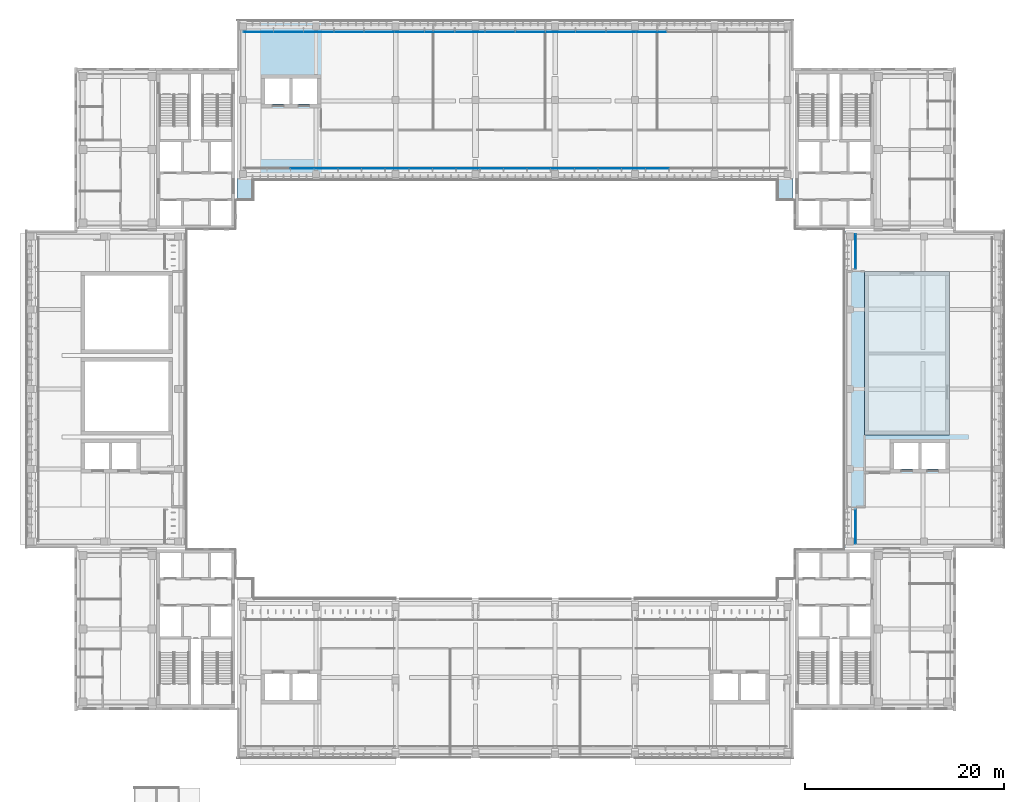
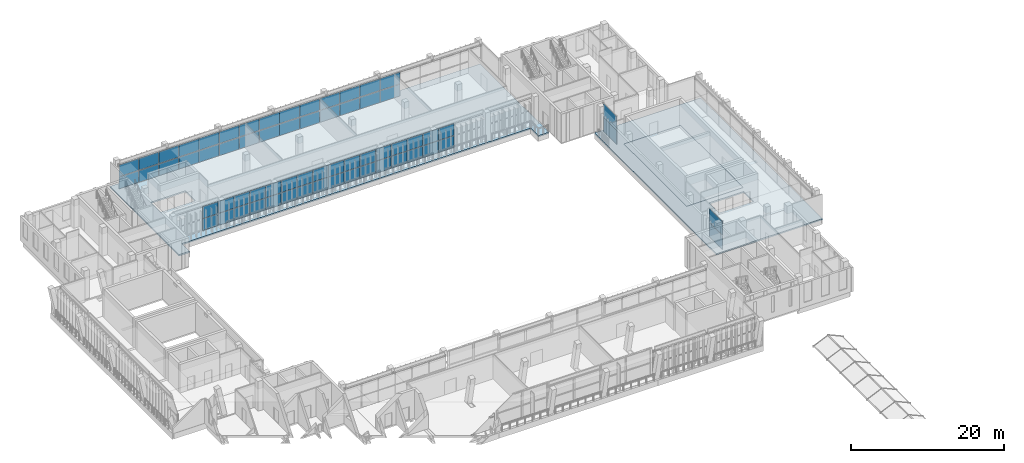
# One storey, part 40 of 73: 64 plates, 3 slabs, 4 elements without a shape of their own.
"""IFC4 building model written with IfcOpenShell, lengths in metres."""

from ifc_helpers import new_model, si_unit, direction, frame, origin, origin_2d, place, context, subcontext, project, spatial, polyline, rectangle, outline, extrude, material, layer, layer_set, type_object, element, aggregate, save


model = new_model("IFC4")

# Units and contexts
model_context = context("Model", 3, precision=1e-05, world=origin(), true_north=direction((0.0, 1.0)))
body_context = subcontext(model_context, "Body", "Model", "MODEL_VIEW")
ifc_project = project(units=[si_unit("LENGTHUNIT", "METRE"), si_unit("AREAUNIT", "SQUARE_METRE"), si_unit("VOLUMEUNIT", "CUBIC_METRE"), si_unit("PLANEANGLEUNIT", "RADIAN"), si_unit("MASSUNIT", "GRAM", prefix="KILO")], contexts=[model_context])

# Site, building, storey
site_placement = place(None, origin())
site = spatial("IfcSite", under=ifc_project, at=site_placement, CompositionType="ELEMENT")
building_placement = place(site_placement, origin())
building = spatial("IfcBuilding", under=site, at=building_placement, Name="Lantern Court Media Centre", CompositionType="ELEMENT")
storey_placement = place(building_placement, frame((0.0, 0.0, 24.0)))
storey = spatial("IfcBuildingStorey", under=building, at=storey_placement, Name="L05", CompositionType="ELEMENT", Elevation=24.0)

# Curtain wall, plates
ifc_material_1 = material(Name="Curtain wall bay 2400")
curtain_wall_type_1 = type_object("IfcCurtainWallType", Name="Curtain wall bay 2400", PredefinedType="NOTDEFINED", material=ifc_material_1)
curtain_wall_1_placement = place(storey_placement, origin())
curtain_wall_1 = element("IfcCurtainWall", 1, at=curtain_wall_1_placement, inside=storey, type_object=curtain_wall_type_1, Name="Curtain wall N inner L05", PredefinedType="NOTDEFINED")
ifc_material_2 = material(Name="Low-iron double glazed unit glass", Category="glass")
ifc_layer_1 = layer(ifc_material_2, 0.02392578125)
ifc_layer_set_1 = layer_set([ifc_layer_1], Name="Low-iron double glazed unit glass")
plate_type_1 = type_object("IfcPlateType", Name="Curtain wall glazing unit 24", PredefinedType="CURTAIN_PANEL", material=ifc_layer_set_1)
plate_1_placement = place(storey_placement, frame((30.634765625, 102.14990234375, 0.050048828125), z_axis=(0.0, 0.0, 1.0), x_axis=(1.0, 0.0, 0.0)))
plate_1 = element("IfcPlate", 2, at=plate_1_placement, type_object=plate_type_1, Name="CW2 panel 3.1", PredefinedType="CURTAIN_PANEL", context=body_context, shape_type="SweptSolid", body=[
    extrude(rectangle(XDim=2.323974609375, YDim=0.02392578125, at=origin_2d()), origin(), (0.0, 0.0, 1.0), 1.89990234375),
])
plate_2_placement = place(storey_placement, frame((30.634765625, 102.14990234375, 2.0), z_axis=(0.0, 0.0, 1.0), x_axis=(1.0, 0.0, 0.0)))
plate_2 = element("IfcPlate", 3, at=plate_2_placement, type_object=plate_type_1, Name="CW2 panel 3.2", PredefinedType="CURTAIN_PANEL", context=body_context, shape_type="SweptSolid", body=[
    extrude(rectangle(XDim=2.323974609375, YDim=0.02392578125, at=origin_2d()), origin(), (0.0, 0.0, 1.0), 1.89990234375),
])
plate_3_placement = place(storey_placement, frame((33.0087890625, 102.14990234375, 0.050048828125), z_axis=(0.0, 0.0, 1.0), x_axis=(1.0, 0.0, 0.0)))
plate_3 = element("IfcPlate", 4, at=plate_3_placement, type_object=plate_type_1, Name="CW2 panel 4.1", PredefinedType="CURTAIN_PANEL", context=body_context, shape_type="SweptSolid", body=[
    extrude(rectangle(XDim=2.323974609375, YDim=0.02392578125, at=origin_2d()), origin(), (0.0, 0.0, 1.0), 1.89990234375),
])
plate_4_placement = place(storey_placement, frame((33.0087890625, 102.14990234375, 2.0), z_axis=(0.0, 0.0, 1.0), x_axis=(1.0, 0.0, 0.0)))
plate_4 = element("IfcPlate", 5, at=plate_4_placement, type_object=plate_type_1, Name="CW2 panel 4.2", PredefinedType="CURTAIN_PANEL", context=body_context, shape_type="SweptSolid", body=[
    extrude(rectangle(XDim=2.323974609375, YDim=0.02392578125, at=origin_2d()), origin(), (0.0, 0.0, 1.0), 1.89990234375),
])
plate_5_placement = place(storey_placement, frame((35.382568359375, 102.14990234375, 0.050048828125), z_axis=(0.0, 0.0, 1.0), x_axis=(1.0, 0.0, 0.0)))
plate_5 = element("IfcPlate", 6, at=plate_5_placement, type_object=plate_type_1, Name="CW2 panel 5.1", PredefinedType="CURTAIN_PANEL", context=body_context, shape_type="SweptSolid", body=[
    extrude(rectangle(XDim=2.323974609375, YDim=0.02392578125, at=origin_2d()), origin(), (0.0, 0.0, 1.0), 1.89990234375),
])
plate_6_placement = place(storey_placement, frame((35.382568359375, 102.14990234375, 2.0), z_axis=(0.0, 0.0, 1.0), x_axis=(1.0, 0.0, 0.0)))
plate_6 = element("IfcPlate", 7, at=plate_6_placement, type_object=plate_type_1, Name="CW2 panel 5.2", PredefinedType="CURTAIN_PANEL", context=body_context, shape_type="SweptSolid", body=[
    extrude(rectangle(XDim=2.323974609375, YDim=0.02392578125, at=origin_2d()), origin(), (0.0, 0.0, 1.0), 1.89990234375),
])
plate_7_placement = place(storey_placement, frame((37.756591796875, 102.14990234375, 0.050048828125), z_axis=(0.0, 0.0, 1.0), x_axis=(1.0, 0.0, 0.0)))
plate_7 = element("IfcPlate", 8, at=plate_7_placement, type_object=plate_type_1, Name="CW2 panel 6.1", PredefinedType="CURTAIN_PANEL", context=body_context, shape_type="SweptSolid", body=[
    extrude(rectangle(XDim=2.323974609375, YDim=0.02392578125, at=origin_2d()), origin(), (0.0, 0.0, 1.0), 1.89990234375),
])
plate_8_placement = place(storey_placement, frame((37.756591796875, 102.14990234375, 2.0), z_axis=(0.0, 0.0, 1.0), x_axis=(1.0, 0.0, 0.0)))
plate_8 = element("IfcPlate", 9, at=plate_8_placement, type_object=plate_type_1, Name="CW2 panel 6.2", PredefinedType="CURTAIN_PANEL", context=body_context, shape_type="SweptSolid", body=[
    extrude(rectangle(XDim=2.323974609375, YDim=0.02392578125, at=origin_2d()), origin(), (0.0, 0.0, 1.0), 1.89990234375),
])
plate_9_placement = place(storey_placement, frame((40.13037109375, 102.14990234375, 0.050048828125), z_axis=(0.0, 0.0, 1.0), x_axis=(1.0, 0.0, 0.0)))
plate_9 = element("IfcPlate", 10, at=plate_9_placement, type_object=plate_type_1, Name="CW2 panel 7.1", PredefinedType="CURTAIN_PANEL", context=body_context, shape_type="SweptSolid", body=[
    extrude(rectangle(XDim=2.323974609375, YDim=0.02392578125, at=origin_2d()), origin(), (0.0, 0.0, 1.0), 1.89990234375),
])
plate_10_placement = place(storey_placement, frame((40.13037109375, 102.14990234375, 2.0), z_axis=(0.0, 0.0, 1.0), x_axis=(1.0, 0.0, 0.0)))
plate_10 = element("IfcPlate", 11, at=plate_10_placement, type_object=plate_type_1, Name="CW2 panel 7.2", PredefinedType="CURTAIN_PANEL", context=body_context, shape_type="SweptSolid", body=[
    extrude(rectangle(XDim=2.323974609375, YDim=0.02392578125, at=origin_2d()), origin(), (0.0, 0.0, 1.0), 1.89990234375),
])
plate_11_placement = place(storey_placement, frame((42.50439453125, 102.14990234375, 0.050048828125), z_axis=(0.0, 0.0, 1.0), x_axis=(1.0, 0.0, 0.0)))
plate_11 = element("IfcPlate", 12, at=plate_11_placement, type_object=plate_type_1, Name="CW2 panel 8.1", PredefinedType="CURTAIN_PANEL", context=body_context, shape_type="SweptSolid", body=[
    extrude(rectangle(XDim=2.323974609375, YDim=0.02392578125, at=origin_2d()), origin(), (0.0, 0.0, 1.0), 1.89990234375),
])
plate_12_placement = place(storey_placement, frame((42.50439453125, 102.14990234375, 2.0), z_axis=(0.0, 0.0, 1.0), x_axis=(1.0, 0.0, 0.0)))
plate_12 = element("IfcPlate", 13, at=plate_12_placement, type_object=plate_type_1, Name="CW2 panel 8.2", PredefinedType="CURTAIN_PANEL", context=body_context, shape_type="SweptSolid", body=[
    extrude(rectangle(XDim=2.323974609375, YDim=0.02392578125, at=origin_2d()), origin(), (0.0, 0.0, 1.0), 1.89990234375),
])
plate_13_placement = place(storey_placement, frame((44.878173828125, 102.14990234375, 0.050048828125), z_axis=(0.0, 0.0, 1.0), x_axis=(1.0, 0.0, 0.0)))
plate_13 = element("IfcPlate", 14, at=plate_13_placement, type_object=plate_type_1, Name="CW2 panel 9.1", PredefinedType="CURTAIN_PANEL", context=body_context, shape_type="SweptSolid", body=[
    extrude(rectangle(XDim=2.323974609375, YDim=0.02392578125, at=origin_2d()), origin(), (0.0, 0.0, 1.0), 1.89990234375),
])
plate_14_placement = place(storey_placement, frame((44.878173828125, 102.14990234375, 2.0), z_axis=(0.0, 0.0, 1.0), x_axis=(1.0, 0.0, 0.0)))
plate_14 = element("IfcPlate", 15, at=plate_14_placement, type_object=plate_type_1, Name="CW2 panel 9.2", PredefinedType="CURTAIN_PANEL", context=body_context, shape_type="SweptSolid", body=[
    extrude(rectangle(XDim=2.323974609375, YDim=0.02392578125, at=origin_2d()), origin(), (0.0, 0.0, 1.0), 1.89990234375),
])
plate_15_placement = place(storey_placement, frame((47.252197265625, 102.14990234375, 0.050048828125), z_axis=(0.0, 0.0, 1.0), x_axis=(1.0, 0.0, 0.0)))
plate_15 = element("IfcPlate", 16, at=plate_15_placement, type_object=plate_type_1, Name="CW2 panel 10.1", PredefinedType="CURTAIN_PANEL", context=body_context, shape_type="SweptSolid", body=[
    extrude(rectangle(XDim=2.323974609375, YDim=0.02392578125, at=origin_2d()), origin(), (0.0, 0.0, 1.0), 1.89990234375),
])
plate_16_placement = place(storey_placement, frame((47.252197265625, 102.14990234375, 2.0), z_axis=(0.0, 0.0, 1.0), x_axis=(1.0, 0.0, 0.0)))
plate_16 = element("IfcPlate", 17, at=plate_16_placement, type_object=plate_type_1, Name="CW2 panel 10.2", PredefinedType="CURTAIN_PANEL", context=body_context, shape_type="SweptSolid", body=[
    extrude(rectangle(XDim=2.323974609375, YDim=0.02392578125, at=origin_2d()), origin(), (0.0, 0.0, 1.0), 1.89990234375),
])
plate_17_placement = place(storey_placement, frame((49.6259765625, 102.14990234375, 0.050048828125), z_axis=(0.0, 0.0, 1.0), x_axis=(1.0, 0.0, 0.0)))
plate_17 = element("IfcPlate", 18, at=plate_17_placement, type_object=plate_type_1, Name="CW2 panel 11.1", PredefinedType="CURTAIN_PANEL", context=body_context, shape_type="SweptSolid", body=[
    extrude(rectangle(XDim=2.323974609375, YDim=0.02392578125, at=origin_2d()), origin(), (0.0, 0.0, 1.0), 1.89990234375),
])
plate_18_placement = place(storey_placement, frame((49.6259765625, 102.14990234375, 2.0), z_axis=(0.0, 0.0, 1.0), x_axis=(1.0, 0.0, 0.0)))
plate_18 = element("IfcPlate", 19, at=plate_18_placement, type_object=plate_type_1, Name="CW2 panel 11.2", PredefinedType="CURTAIN_PANEL", context=body_context, shape_type="SweptSolid", body=[
    extrude(rectangle(XDim=2.323974609375, YDim=0.02392578125, at=origin_2d()), origin(), (0.0, 0.0, 1.0), 1.89990234375),
])
plate_19_placement = place(storey_placement, frame((52.0, 102.14990234375, 0.050048828125), z_axis=(0.0, 0.0, 1.0), x_axis=(1.0, 0.0, 0.0)))
plate_19 = element("IfcPlate", 20, at=plate_19_placement, type_object=plate_type_1, Name="CW2 panel 12.1", PredefinedType="CURTAIN_PANEL", context=body_context, shape_type="SweptSolid", body=[
    extrude(rectangle(XDim=2.323974609375, YDim=0.02392578125, at=origin_2d()), origin(), (0.0, 0.0, 1.0), 1.89990234375),
])
plate_20_placement = place(storey_placement, frame((52.0, 102.14990234375, 2.0), z_axis=(0.0, 0.0, 1.0), x_axis=(1.0, 0.0, 0.0)))
plate_20 = element("IfcPlate", 21, at=plate_20_placement, type_object=plate_type_1, Name="CW2 panel 12.2", PredefinedType="CURTAIN_PANEL", context=body_context, shape_type="SweptSolid", body=[
    extrude(rectangle(XDim=2.323974609375, YDim=0.02392578125, at=origin_2d()), origin(), (0.0, 0.0, 1.0), 1.89990234375),
])
plate_21_placement = place(storey_placement, frame((54.3740234375, 102.14990234375, 0.050048828125), z_axis=(0.0, 0.0, 1.0), x_axis=(1.0, 0.0, 0.0)))
plate_21 = element("IfcPlate", 22, at=plate_21_placement, type_object=plate_type_1, Name="CW2 panel 13.1", PredefinedType="CURTAIN_PANEL", context=body_context, shape_type="SweptSolid", body=[
    extrude(rectangle(XDim=2.323974609375, YDim=0.02392578125, at=origin_2d()), origin(), (0.0, 0.0, 1.0), 1.89990234375),
])
plate_22_placement = place(storey_placement, frame((54.3740234375, 102.14990234375, 2.0), z_axis=(0.0, 0.0, 1.0), x_axis=(1.0, 0.0, 0.0)))
plate_22 = element("IfcPlate", 23, at=plate_22_placement, type_object=plate_type_1, Name="CW2 panel 13.2", PredefinedType="CURTAIN_PANEL", context=body_context, shape_type="SweptSolid", body=[
    extrude(rectangle(XDim=2.323974609375, YDim=0.02392578125, at=origin_2d()), origin(), (0.0, 0.0, 1.0), 1.89990234375),
])
plate_23_placement = place(storey_placement, frame((56.747802734375, 102.14990234375, 0.050048828125), z_axis=(0.0, 0.0, 1.0), x_axis=(1.0, 0.0, 0.0)))
plate_23 = element("IfcPlate", 24, at=plate_23_placement, type_object=plate_type_1, Name="CW2 panel 14.1", PredefinedType="CURTAIN_PANEL", context=body_context, shape_type="SweptSolid", body=[
    extrude(rectangle(XDim=2.323974609375, YDim=0.02392578125, at=origin_2d()), origin(), (0.0, 0.0, 1.0), 1.89990234375),
])
plate_24_placement = place(storey_placement, frame((56.747802734375, 102.14990234375, 2.0), z_axis=(0.0, 0.0, 1.0), x_axis=(1.0, 0.0, 0.0)))
plate_24 = element("IfcPlate", 25, at=plate_24_placement, type_object=plate_type_1, Name="CW2 panel 14.2", PredefinedType="CURTAIN_PANEL", context=body_context, shape_type="SweptSolid", body=[
    extrude(rectangle(XDim=2.323974609375, YDim=0.02392578125, at=origin_2d()), origin(), (0.0, 0.0, 1.0), 1.89990234375),
])
plate_25_placement = place(storey_placement, frame((59.121826171875, 102.14990234375, 0.050048828125), z_axis=(0.0, 0.0, 1.0), x_axis=(1.0, 0.0, 0.0)))
plate_25 = element("IfcPlate", 26, at=plate_25_placement, type_object=plate_type_1, Name="CW2 panel 15.1", PredefinedType="CURTAIN_PANEL", context=body_context, shape_type="SweptSolid", body=[
    extrude(rectangle(XDim=2.323974609375, YDim=0.02392578125, at=origin_2d()), origin(), (0.0, 0.0, 1.0), 1.89990234375),
])
plate_26_placement = place(storey_placement, frame((59.121826171875, 102.14990234375, 2.0), z_axis=(0.0, 0.0, 1.0), x_axis=(1.0, 0.0, 0.0)))
plate_26 = element("IfcPlate", 27, at=plate_26_placement, type_object=plate_type_1, Name="CW2 panel 15.2", PredefinedType="CURTAIN_PANEL", context=body_context, shape_type="SweptSolid", body=[
    extrude(rectangle(XDim=2.323974609375, YDim=0.02392578125, at=origin_2d()), origin(), (0.0, 0.0, 1.0), 1.89990234375),
])
plate_27_placement = place(storey_placement, frame((61.49560546875, 102.14990234375, 0.050048828125), z_axis=(0.0, 0.0, 1.0), x_axis=(1.0, 0.0, 0.0)))
plate_27 = element("IfcPlate", 28, at=plate_27_placement, type_object=plate_type_1, Name="CW2 panel 16.1", PredefinedType="CURTAIN_PANEL", context=body_context, shape_type="SweptSolid", body=[
    extrude(rectangle(XDim=2.323974609375, YDim=0.02392578125, at=origin_2d()), origin(), (0.0, 0.0, 1.0), 1.89990234375),
])
plate_28_placement = place(storey_placement, frame((61.49560546875, 102.14990234375, 2.0), z_axis=(0.0, 0.0, 1.0), x_axis=(1.0, 0.0, 0.0)))
plate_28 = element("IfcPlate", 29, at=plate_28_placement, type_object=plate_type_1, Name="CW2 panel 16.2", PredefinedType="CURTAIN_PANEL", context=body_context, shape_type="SweptSolid", body=[
    extrude(rectangle(XDim=2.323974609375, YDim=0.02392578125, at=origin_2d()), origin(), (0.0, 0.0, 1.0), 1.89990234375),
])
plate_29_placement = place(storey_placement, frame((63.86962890625, 102.14990234375, 0.050048828125), z_axis=(0.0, 0.0, 1.0), x_axis=(1.0, 0.0, 0.0)))
plate_29 = element("IfcPlate", 30, at=plate_29_placement, type_object=plate_type_1, Name="CW2 panel 17.1", PredefinedType="CURTAIN_PANEL", context=body_context, shape_type="SweptSolid", body=[
    extrude(rectangle(XDim=2.323974609375, YDim=0.02392578125, at=origin_2d()), origin(), (0.0, 0.0, 1.0), 1.89990234375),
])
plate_30_placement = place(storey_placement, frame((63.86962890625, 102.14990234375, 2.0), z_axis=(0.0, 0.0, 1.0), x_axis=(1.0, 0.0, 0.0)))
plate_30 = element("IfcPlate", 31, at=plate_30_placement, type_object=plate_type_1, Name="CW2 panel 17.2", PredefinedType="CURTAIN_PANEL", context=body_context, shape_type="SweptSolid", body=[
    extrude(rectangle(XDim=2.323974609375, YDim=0.02392578125, at=origin_2d()), origin(), (0.0, 0.0, 1.0), 1.89990234375),
])
plate_31_placement = place(storey_placement, frame((66.243408203125, 102.14990234375, 0.050048828125), z_axis=(0.0, 0.0, 1.0), x_axis=(1.0, 0.0, 0.0)))
plate_31 = element("IfcPlate", 32, at=plate_31_placement, type_object=plate_type_1, Name="CW2 panel 18.1", PredefinedType="CURTAIN_PANEL", context=body_context, shape_type="SweptSolid", body=[
    extrude(rectangle(XDim=2.323974609375, YDim=0.02392578125, at=origin_2d()), origin(), (0.0, 0.0, 1.0), 1.89990234375),
])
plate_32_placement = place(storey_placement, frame((66.243408203125, 102.14990234375, 2.0), z_axis=(0.0, 0.0, 1.0), x_axis=(1.0, 0.0, 0.0)))
plate_32 = element("IfcPlate", 33, at=plate_32_placement, type_object=plate_type_1, Name="CW2 panel 18.2", PredefinedType="CURTAIN_PANEL", context=body_context, shape_type="SweptSolid", body=[
    extrude(rectangle(XDim=2.323974609375, YDim=0.02392578125, at=origin_2d()), origin(), (0.0, 0.0, 1.0), 1.89990234375),
])
aggregate(curtain_wall_1, [plate_1, plate_2, plate_3, plate_4, plate_5, plate_6, plate_7, plate_8, plate_9, plate_10, plate_11, plate_12, plate_13, plate_14, plate_15, plate_16, plate_17, plate_18, plate_19, plate_20, plate_21, plate_22, plate_23, plate_24, plate_25, plate_26, plate_27, plate_28, plate_29, plate_30, plate_31, plate_32])

curtain_wall_2_placement = place(storey_placement, origin())
curtain_wall_2 = element("IfcCurtainWall", 34, at=curtain_wall_2_placement, inside=storey, type_object=curtain_wall_type_1, Name="Curtain wall E inner L05", PredefinedType="NOTDEFINED")
plate_33_placement = place(storey_placement, frame((86.14990234375, 66.18505859375, 0.0498046875), z_axis=(0.0, 0.0, 1.0), x_axis=(0.0, 1.0, 0.0)))
plate_33 = element("IfcPlate", 35, at=plate_33_placement, type_object=plate_type_1, Name="CW2 panel 1.1", PredefinedType="CURTAIN_PANEL", context=body_context, shape_type="SweptSolid", body=[
    extrude(rectangle(XDim=3.429931640625, YDim=0.02392578125, at=origin_2d()), origin(), (0.0, 0.0, 1.0), 2.215087890625),
])
plate_34_placement = place(storey_placement, frame((86.14990234375, 66.18505859375, 2.31494140625), z_axis=(0.0, 0.0, 1.0), x_axis=(0.0, 1.0, 0.0)))
plate_34 = element("IfcPlate", 36, at=plate_34_placement, type_object=plate_type_1, Name="CW2 panel 1.2", PredefinedType="CURTAIN_PANEL", context=body_context, shape_type="SweptSolid", body=[
    extrude(rectangle(XDim=3.429931640625, YDim=0.02392578125, at=origin_2d()), origin(), (0.0, 0.0, 1.0), 2.215087890625),
])
aggregate(curtain_wall_2, [plate_33, plate_34])

curtain_wall_3_placement = place(storey_placement, origin())
curtain_wall_3 = element("IfcCurtainWall", 37, at=curtain_wall_3_placement, inside=storey, type_object=curtain_wall_type_1, Name="Curtain wall E inner L05", PredefinedType="NOTDEFINED")
plate_35_placement = place(storey_placement, frame((86.14990234375, 93.81494140625, 0.0498046875), z_axis=(0.0, 0.0, 1.0), x_axis=(0.0, 1.0, 0.0)))
plate_35 = element("IfcPlate", 38, at=plate_35_placement, type_object=plate_type_1, Name="CW2 panel 1.1", PredefinedType="CURTAIN_PANEL", context=body_context, shape_type="SweptSolid", body=[
    extrude(rectangle(XDim=3.429931640625, YDim=0.02392578125, at=origin_2d()), origin(), (0.0, 0.0, 1.0), 2.215087890625),
])
plate_36_placement = place(storey_placement, frame((86.14990234375, 93.81494140625, 2.31494140625), z_axis=(0.0, 0.0, 1.0), x_axis=(0.0, 1.0, 0.0)))
plate_36 = element("IfcPlate", 39, at=plate_36_placement, type_object=plate_type_1, Name="CW2 panel 1.2", PredefinedType="CURTAIN_PANEL", context=body_context, shape_type="SweptSolid", body=[
    extrude(rectangle(XDim=3.429931640625, YDim=0.02392578125, at=origin_2d()), origin(), (0.0, 0.0, 1.0), 2.215087890625),
])
aggregate(curtain_wall_3, [plate_35, plate_36])

ifc_material_3 = material(Name="Curtain wall bay 3000")
curtain_wall_type_2 = type_object("IfcCurtainWallType", Name="Curtain wall bay 3000", PredefinedType="NOTDEFINED", material=ifc_material_3)
curtain_wall_4_placement = place(storey_placement, origin())
curtain_wall_4 = element("IfcCurtainWall", 40, at=curtain_wall_4_placement, inside=storey, type_object=curtain_wall_type_2, Name="Curtain wall N outer L05", PredefinedType="NOTDEFINED")
ifc_layer_2 = layer(ifc_material_2, 0.028076171875)
ifc_layer_set_2 = layer_set([ifc_layer_2], Name="Low-iron double glazed unit glass")
plate_type_2 = type_object("IfcPlateType", Name="Curtain wall glazing unit 28", PredefinedType="CURTAIN_PANEL", material=ifc_layer_set_2)
plate_37_placement = place(storey_placement, frame((26.231689453125, 115.85009765625, 0.06005859375), z_axis=(0.0, 0.0, 1.0), x_axis=(1.0, 0.0, 0.0)))
plate_37 = element("IfcPlate", 41, at=plate_37_placement, type_object=plate_type_2, Name="CW1 panel 1.1", PredefinedType="CURTAIN_PANEL", context=body_context, shape_type="SweptSolid", body=[
    extrude(rectangle(XDim=2.943359375, YDim=0.028076171875, at=origin_2d()), origin(), (0.0, 0.0, 1.0), 1.885009765625),
])
plate_38_placement = place(storey_placement, frame((26.231689453125, 115.85009765625, 2.0048828125), z_axis=(0.0, 0.0, 1.0), x_axis=(1.0, 0.0, 0.0)))
plate_38 = element("IfcPlate", 42, at=plate_38_placement, type_object=plate_type_2, Name="CW1 panel 1.2", PredefinedType="CURTAIN_PANEL", context=body_context, shape_type="SweptSolid", body=[
    extrude(rectangle(XDim=2.943359375, YDim=0.028076171875, at=origin_2d()), origin(), (0.0, 0.0, 1.0), 1.885009765625),
])
plate_39_placement = place(storey_placement, frame((29.25, 115.85009765625, 0.06005859375), z_axis=(0.0, 0.0, 1.0), x_axis=(1.0, 0.0, 0.0)))
plate_39 = element("IfcPlate", 43, at=plate_39_placement, type_object=plate_type_2, Name="CW1 panel 2.1", PredefinedType="CURTAIN_PANEL", context=body_context, shape_type="SweptSolid", body=[
    extrude(rectangle(XDim=2.973388671875, YDim=0.028076171875, at=origin_2d()), origin(), (0.0, 0.0, 1.0), 1.885009765625),
])
plate_40_placement = place(storey_placement, frame((29.25, 115.85009765625, 2.0048828125), z_axis=(0.0, 0.0, 1.0), x_axis=(1.0, 0.0, 0.0)))
plate_40 = element("IfcPlate", 44, at=plate_40_placement, type_object=plate_type_2, Name="CW1 panel 2.2", PredefinedType="CURTAIN_PANEL", context=body_context, shape_type="SweptSolid", body=[
    extrude(rectangle(XDim=2.973388671875, YDim=0.028076171875, at=origin_2d()), origin(), (0.0, 0.0, 1.0), 1.885009765625),
])
plate_41_placement = place(storey_placement, frame((32.283447265625, 115.85009765625, 0.06005859375), z_axis=(0.0, 0.0, 1.0), x_axis=(1.0, 0.0, 0.0)))
plate_41 = element("IfcPlate", 45, at=plate_41_placement, type_object=plate_type_2, Name="CW1 panel 3.1", PredefinedType="CURTAIN_PANEL", context=body_context, shape_type="SweptSolid", body=[
    extrude(rectangle(XDim=2.973388671875, YDim=0.028076171875, at=origin_2d()), origin(), (0.0, 0.0, 1.0), 1.885009765625),
])
plate_42_placement = place(storey_placement, frame((32.283447265625, 115.85009765625, 2.0048828125), z_axis=(0.0, 0.0, 1.0), x_axis=(1.0, 0.0, 0.0)))
plate_42 = element("IfcPlate", 46, at=plate_42_placement, type_object=plate_type_2, Name="CW1 panel 3.2", PredefinedType="CURTAIN_PANEL", context=body_context, shape_type="SweptSolid", body=[
    extrude(rectangle(XDim=2.973388671875, YDim=0.028076171875, at=origin_2d()), origin(), (0.0, 0.0, 1.0), 1.885009765625),
])
plate_43_placement = place(storey_placement, frame((35.316650390625, 115.85009765625, 0.06005859375), z_axis=(0.0, 0.0, 1.0), x_axis=(1.0, 0.0, 0.0)))
plate_43 = element("IfcPlate", 47, at=plate_43_placement, type_object=plate_type_2, Name="CW1 panel 4.1", PredefinedType="CURTAIN_PANEL", context=body_context, shape_type="SweptSolid", body=[
    extrude(rectangle(XDim=2.973388671875, YDim=0.028076171875, at=origin_2d()), origin(), (0.0, 0.0, 1.0), 1.885009765625),
])
plate_44_placement = place(storey_placement, frame((35.316650390625, 115.85009765625, 2.0048828125), z_axis=(0.0, 0.0, 1.0), x_axis=(1.0, 0.0, 0.0)))
plate_44 = element("IfcPlate", 48, at=plate_44_placement, type_object=plate_type_2, Name="CW1 panel 4.2", PredefinedType="CURTAIN_PANEL", context=body_context, shape_type="SweptSolid", body=[
    extrude(rectangle(XDim=2.973388671875, YDim=0.028076171875, at=origin_2d()), origin(), (0.0, 0.0, 1.0), 1.885009765625),
])
plate_45_placement = place(storey_placement, frame((38.35009765625, 115.85009765625, 0.06005859375), z_axis=(0.0, 0.0, 1.0), x_axis=(1.0, 0.0, 0.0)))
plate_45 = element("IfcPlate", 49, at=plate_45_placement, type_object=plate_type_2, Name="CW1 panel 5.1", PredefinedType="CURTAIN_PANEL", context=body_context, shape_type="SweptSolid", body=[
    extrude(rectangle(XDim=2.973388671875, YDim=0.028076171875, at=origin_2d()), origin(), (0.0, 0.0, 1.0), 1.885009765625),
])
plate_46_placement = place(storey_placement, frame((38.35009765625, 115.85009765625, 2.0048828125), z_axis=(0.0, 0.0, 1.0), x_axis=(1.0, 0.0, 0.0)))
plate_46 = element("IfcPlate", 50, at=plate_46_placement, type_object=plate_type_2, Name="CW1 panel 5.2", PredefinedType="CURTAIN_PANEL", context=body_context, shape_type="SweptSolid", body=[
    extrude(rectangle(XDim=2.973388671875, YDim=0.028076171875, at=origin_2d()), origin(), (0.0, 0.0, 1.0), 1.885009765625),
])
plate_47_placement = place(storey_placement, frame((41.38330078125, 115.85009765625, 0.06005859375), z_axis=(0.0, 0.0, 1.0), x_axis=(1.0, 0.0, 0.0)))
plate_47 = element("IfcPlate", 51, at=plate_47_placement, type_object=plate_type_2, Name="CW1 panel 6.1", PredefinedType="CURTAIN_PANEL", context=body_context, shape_type="SweptSolid", body=[
    extrude(rectangle(XDim=2.973388671875, YDim=0.028076171875, at=origin_2d()), origin(), (0.0, 0.0, 1.0), 1.885009765625),
])
plate_48_placement = place(storey_placement, frame((41.38330078125, 115.85009765625, 2.0048828125), z_axis=(0.0, 0.0, 1.0), x_axis=(1.0, 0.0, 0.0)))
plate_48 = element("IfcPlate", 52, at=plate_48_placement, type_object=plate_type_2, Name="CW1 panel 6.2", PredefinedType="CURTAIN_PANEL", context=body_context, shape_type="SweptSolid", body=[
    extrude(rectangle(XDim=2.973388671875, YDim=0.028076171875, at=origin_2d()), origin(), (0.0, 0.0, 1.0), 1.885009765625),
])
plate_49_placement = place(storey_placement, frame((44.416748046875, 115.85009765625, 0.06005859375), z_axis=(0.0, 0.0, 1.0), x_axis=(1.0, 0.0, 0.0)))
plate_49 = element("IfcPlate", 53, at=plate_49_placement, type_object=plate_type_2, Name="CW1 panel 7.1", PredefinedType="CURTAIN_PANEL", context=body_context, shape_type="SweptSolid", body=[
    extrude(rectangle(XDim=2.973388671875, YDim=0.028076171875, at=origin_2d()), origin(), (0.0, 0.0, 1.0), 1.885009765625),
])
plate_50_placement = place(storey_placement, frame((44.416748046875, 115.85009765625, 2.0048828125), z_axis=(0.0, 0.0, 1.0), x_axis=(1.0, 0.0, 0.0)))
plate_50 = element("IfcPlate", 54, at=plate_50_placement, type_object=plate_type_2, Name="CW1 panel 7.2", PredefinedType="CURTAIN_PANEL", context=body_context, shape_type="SweptSolid", body=[
    extrude(rectangle(XDim=2.973388671875, YDim=0.028076171875, at=origin_2d()), origin(), (0.0, 0.0, 1.0), 1.885009765625),
])
plate_51_placement = place(storey_placement, frame((47.449951171875, 115.85009765625, 0.06005859375), z_axis=(0.0, 0.0, 1.0), x_axis=(1.0, 0.0, 0.0)))
plate_51 = element("IfcPlate", 55, at=plate_51_placement, type_object=plate_type_2, Name="CW1 panel 8.1", PredefinedType="CURTAIN_PANEL", context=body_context, shape_type="SweptSolid", body=[
    extrude(rectangle(XDim=2.973388671875, YDim=0.028076171875, at=origin_2d()), origin(), (0.0, 0.0, 1.0), 1.885009765625),
])
plate_52_placement = place(storey_placement, frame((47.449951171875, 115.85009765625, 2.0048828125), z_axis=(0.0, 0.0, 1.0), x_axis=(1.0, 0.0, 0.0)))
plate_52 = element("IfcPlate", 56, at=plate_52_placement, type_object=plate_type_2, Name="CW1 panel 8.2", PredefinedType="CURTAIN_PANEL", context=body_context, shape_type="SweptSolid", body=[
    extrude(rectangle(XDim=2.973388671875, YDim=0.028076171875, at=origin_2d()), origin(), (0.0, 0.0, 1.0), 1.885009765625),
])
plate_53_placement = place(storey_placement, frame((50.4833984375, 115.85009765625, 0.06005859375), z_axis=(0.0, 0.0, 1.0), x_axis=(1.0, 0.0, 0.0)))
plate_53 = element("IfcPlate", 57, at=plate_53_placement, type_object=plate_type_2, Name="CW1 panel 9.1", PredefinedType="CURTAIN_PANEL", context=body_context, shape_type="SweptSolid", body=[
    extrude(rectangle(XDim=2.973388671875, YDim=0.028076171875, at=origin_2d()), origin(), (0.0, 0.0, 1.0), 1.885009765625),
])
plate_54_placement = place(storey_placement, frame((50.4833984375, 115.85009765625, 2.0048828125), z_axis=(0.0, 0.0, 1.0), x_axis=(1.0, 0.0, 0.0)))
plate_54 = element("IfcPlate", 58, at=plate_54_placement, type_object=plate_type_2, Name="CW1 panel 9.2", PredefinedType="CURTAIN_PANEL", context=body_context, shape_type="SweptSolid", body=[
    extrude(rectangle(XDim=2.973388671875, YDim=0.028076171875, at=origin_2d()), origin(), (0.0, 0.0, 1.0), 1.885009765625),
])
plate_55_placement = place(storey_placement, frame((53.5166015625, 115.85009765625, 0.06005859375), z_axis=(0.0, 0.0, 1.0), x_axis=(1.0, 0.0, 0.0)))
plate_55 = element("IfcPlate", 59, at=plate_55_placement, type_object=plate_type_2, Name="CW1 panel 10.1", PredefinedType="CURTAIN_PANEL", context=body_context, shape_type="SweptSolid", body=[
    extrude(rectangle(XDim=2.973388671875, YDim=0.028076171875, at=origin_2d()), origin(), (0.0, 0.0, 1.0), 1.885009765625),
])
plate_56_placement = place(storey_placement, frame((53.5166015625, 115.85009765625, 2.0048828125), z_axis=(0.0, 0.0, 1.0), x_axis=(1.0, 0.0, 0.0)))
plate_56 = element("IfcPlate", 60, at=plate_56_placement, type_object=plate_type_2, Name="CW1 panel 10.2", PredefinedType="CURTAIN_PANEL", context=body_context, shape_type="SweptSolid", body=[
    extrude(rectangle(XDim=2.973388671875, YDim=0.028076171875, at=origin_2d()), origin(), (0.0, 0.0, 1.0), 1.885009765625),
])
plate_57_placement = place(storey_placement, frame((56.550048828125, 115.85009765625, 0.06005859375), z_axis=(0.0, 0.0, 1.0), x_axis=(1.0, 0.0, 0.0)))
plate_57 = element("IfcPlate", 61, at=plate_57_placement, type_object=plate_type_2, Name="CW1 panel 11.1", PredefinedType="CURTAIN_PANEL", context=body_context, shape_type="SweptSolid", body=[
    extrude(rectangle(XDim=2.973388671875, YDim=0.028076171875, at=origin_2d()), origin(), (0.0, 0.0, 1.0), 1.885009765625),
])
plate_58_placement = place(storey_placement, frame((56.550048828125, 115.85009765625, 2.0048828125), z_axis=(0.0, 0.0, 1.0), x_axis=(1.0, 0.0, 0.0)))
plate_58 = element("IfcPlate", 62, at=plate_58_placement, type_object=plate_type_2, Name="CW1 panel 11.2", PredefinedType="CURTAIN_PANEL", context=body_context, shape_type="SweptSolid", body=[
    extrude(rectangle(XDim=2.973388671875, YDim=0.028076171875, at=origin_2d()), origin(), (0.0, 0.0, 1.0), 1.885009765625),
])
plate_59_placement = place(storey_placement, frame((59.583251953125, 115.85009765625, 0.06005859375), z_axis=(0.0, 0.0, 1.0), x_axis=(1.0, 0.0, 0.0)))
plate_59 = element("IfcPlate", 63, at=plate_59_placement, type_object=plate_type_2, Name="CW1 panel 12.1", PredefinedType="CURTAIN_PANEL", context=body_context, shape_type="SweptSolid", body=[
    extrude(rectangle(XDim=2.973388671875, YDim=0.028076171875, at=origin_2d()), origin(), (0.0, 0.0, 1.0), 1.885009765625),
])
plate_60_placement = place(storey_placement, frame((59.583251953125, 115.85009765625, 2.0048828125), z_axis=(0.0, 0.0, 1.0), x_axis=(1.0, 0.0, 0.0)))
plate_60 = element("IfcPlate", 64, at=plate_60_placement, type_object=plate_type_2, Name="CW1 panel 12.2", PredefinedType="CURTAIN_PANEL", context=body_context, shape_type="SweptSolid", body=[
    extrude(rectangle(XDim=2.973388671875, YDim=0.028076171875, at=origin_2d()), origin(), (0.0, 0.0, 1.0), 1.885009765625),
])
plate_61_placement = place(storey_placement, frame((62.61669921875, 115.85009765625, 0.06005859375), z_axis=(0.0, 0.0, 1.0), x_axis=(1.0, 0.0, 0.0)))
plate_61 = element("IfcPlate", 65, at=plate_61_placement, type_object=plate_type_2, Name="CW1 panel 13.1", PredefinedType="CURTAIN_PANEL", context=body_context, shape_type="SweptSolid", body=[
    extrude(rectangle(XDim=2.973388671875, YDim=0.028076171875, at=origin_2d()), origin(), (0.0, 0.0, 1.0), 1.885009765625),
])
plate_62_placement = place(storey_placement, frame((62.61669921875, 115.85009765625, 2.0048828125), z_axis=(0.0, 0.0, 1.0), x_axis=(1.0, 0.0, 0.0)))
plate_62 = element("IfcPlate", 66, at=plate_62_placement, type_object=plate_type_2, Name="CW1 panel 13.2", PredefinedType="CURTAIN_PANEL", context=body_context, shape_type="SweptSolid", body=[
    extrude(rectangle(XDim=2.973388671875, YDim=0.028076171875, at=origin_2d()), origin(), (0.0, 0.0, 1.0), 1.885009765625),
])
plate_63_placement = place(storey_placement, frame((65.64990234375, 115.85009765625, 0.06005859375), z_axis=(0.0, 0.0, 1.0), x_axis=(1.0, 0.0, 0.0)))
plate_63 = element("IfcPlate", 67, at=plate_63_placement, type_object=plate_type_2, Name="CW1 panel 14.1", PredefinedType="CURTAIN_PANEL", context=body_context, shape_type="SweptSolid", body=[
    extrude(rectangle(XDim=2.973388671875, YDim=0.028076171875, at=origin_2d()), origin(), (0.0, 0.0, 1.0), 1.885009765625),
])
plate_64_placement = place(storey_placement, frame((65.64990234375, 115.85009765625, 2.0048828125), z_axis=(0.0, 0.0, 1.0), x_axis=(1.0, 0.0, 0.0)))
plate_64 = element("IfcPlate", 68, at=plate_64_placement, type_object=plate_type_2, Name="CW1 panel 14.2", PredefinedType="CURTAIN_PANEL", context=body_context, shape_type="SweptSolid", body=[
    extrude(rectangle(XDim=2.973388671875, YDim=0.028076171875, at=origin_2d()), origin(), (0.0, 0.0, 1.0), 1.885009765625),
])
aggregate(curtain_wall_4, [plate_37, plate_38, plate_39, plate_40, plate_41, plate_42, plate_43, plate_44, plate_45, plate_46, plate_47, plate_48, plate_49, plate_50, plate_51, plate_52, plate_53, plate_54, plate_55, plate_56, plate_57, plate_58, plate_59, plate_60, plate_61, plate_62, plate_63, plate_64])

# Slabs
ifc_material_4 = material(Name="Concrete C35", Category="concrete")
ifc_layer_3 = layer(ifc_material_4, 0.219970703125)
ifc_layer_set_3 = layer_set([ifc_layer_3], Name="Concrete C35")
slab_type_1 = type_object("IfcSlabType", Name="RC FLOOR SLAB 220", PredefinedType="FLOOR", material=ifc_layer_set_3)
slab_1_placement = place(storey_placement, frame((0.0, 0.0, -0.219970703125)))
element("IfcSlab", 69, at=slab_1_placement, inside=storey, type_object=slab_type_1, Name="SL-N-L05", PredefinedType="FLOOR", context=body_context, shape_type="SweptSolid", body=[
    extrude(outline(polyline([(25.699951171875, 99.0), (24.10009765625, 99.0), (24.10009765625, 101.0), (24.10009765625, 117.0), (79.89990234375, 117.0), (79.89990234375, 101.0), (79.89990234375, 99.0), (78.300048828125, 99.0), (78.300048828125, 101.0), (25.699951171875, 101.0), (25.699951171875, 99.0)]), holes=[polyline([(26.89990234375, 108.60009765625), (32.10009765625, 108.60009765625), (32.10009765625, 111.199951171875), (26.89990234375, 111.199951171875), (26.89990234375, 108.60009765625)])]), origin(), (0.0, 0.0, 1.0), 0.219970703125),
])
slab_2_placement = place(storey_placement, frame((0.0, 0.0, -0.219970703125)))
element("IfcSlab", 70, at=slab_2_placement, inside=storey, type_object=slab_type_1, Name="SL-E-L05", PredefinedType="FLOOR", context=body_context, shape_type="SweptSolid", body=[
    extrude(outline(polyline([(87.050048828125, 64.10009765625), (85.0, 64.10009765625), (85.0, 95.89990234375), (87.050048828125, 95.89990234375), (95.60009765625, 95.89990234375), (101.0, 95.89990234375), (101.0, 64.10009765625), (95.60009765625, 64.10009765625), (87.050048828125, 64.10009765625)]), holes=[polyline([(87.050048828125, 75.39990234375), (95.60009765625, 75.39990234375), (95.60009765625, 91.800048828125), (87.050048828125, 91.800048828125), (87.050048828125, 75.39990234375)]), polyline([(95.199951171875, 74.60009765625), (90.0, 74.60009765625), (90.0, 72.0), (95.199951171875, 72.0), (95.199951171875, 74.60009765625)])]), origin(), (0.0, 0.0, 1.0), 0.219970703125),
])
ifc_layer_4 = layer(ifc_material_4, 0.419921875)
ifc_layer_set_4 = layer_set([ifc_layer_4], Name="Concrete C35")
slab_type_2 = type_object("IfcSlabType", Name="RC FLOOR SLAB 420", PredefinedType="FLOOR", material=ifc_layer_set_4)
slab_3_placement = place(storey_placement, frame((0.0, 0.0, -0.419921875)))
element("IfcSlab", 71, at=slab_3_placement, inside=storey, type_object=slab_type_2, Name="SL-E-L05-D1", PredefinedType="FLOOR", context=body_context, shape_type="SweptSolid", body=[
    extrude(outline(polyline([(95.60009765625, 75.39990234375), (95.60009765625, 91.800048828125), (87.050048828125, 91.800048828125), (87.050048828125, 75.39990234375), (95.60009765625, 75.39990234375)])), origin(), (0.0, 0.0, 1.0), 0.419921875),
])

save(model, "model.ifc")
